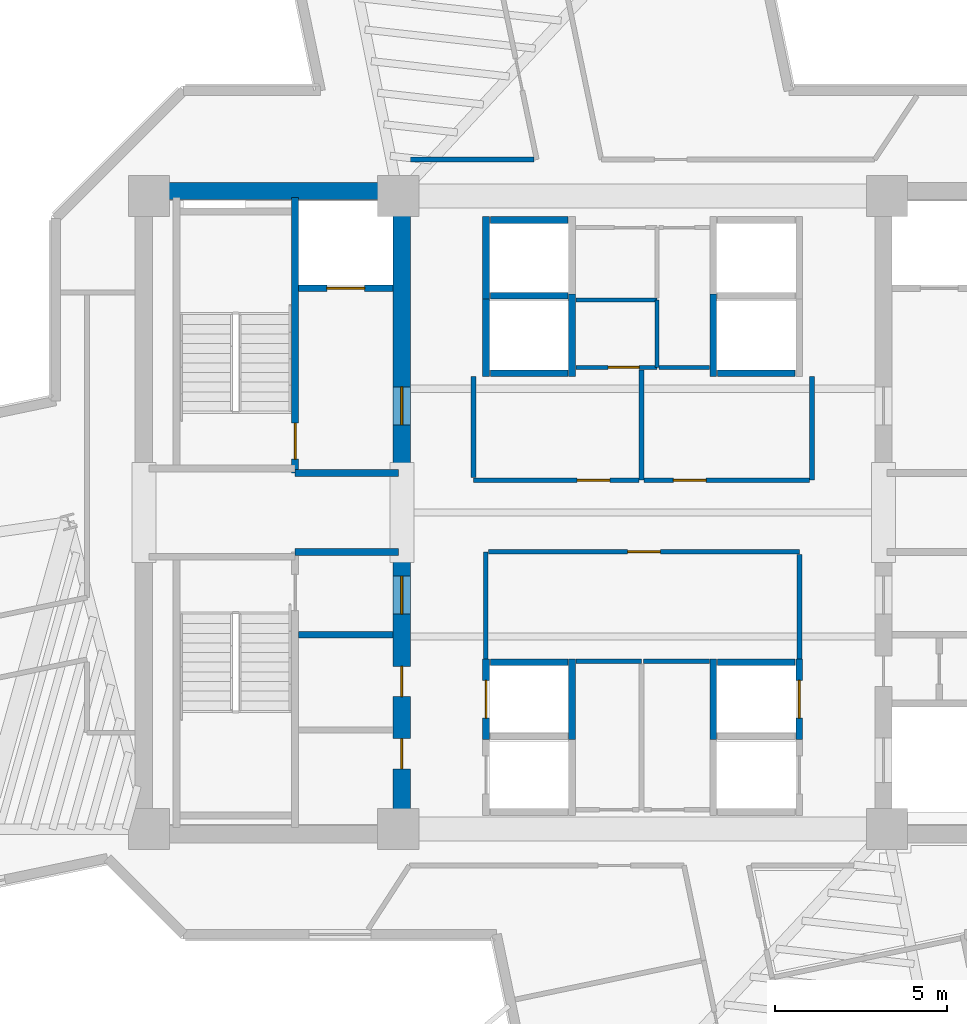
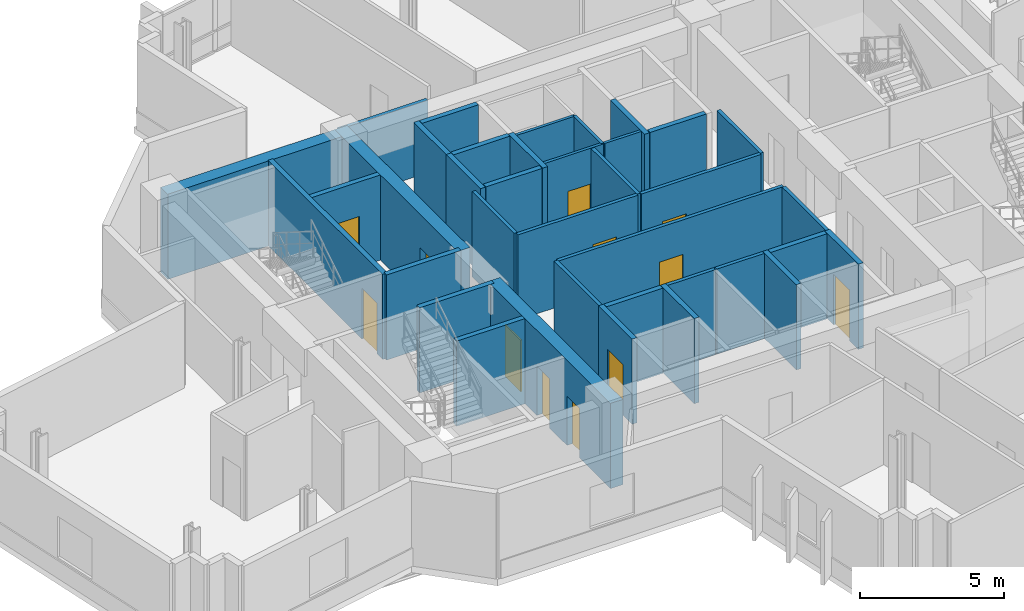
# One storey, part 8 of 14: 37 walls, 12 doors, 12 openings.
"""IFC4 building model written with IfcOpenShell, lengths in metres."""

from ifc_helpers import new_model, si_unit, direction, frame, frame_2d, origin, place, context, subcontext, project, spatial, rectangle, extrude, source, transform, mapped, material, layer, layer_set, type_object, element, fill, save


model = new_model("IFC4")

# Units and contexts
model_context = context("Model", 3, precision=1e-05, world=origin(), true_north=direction((0.0, 1.0)))
body_context = subcontext(model_context, "Body", "Model", "MODEL_VIEW")
ifc_project = project(units=[si_unit("LENGTHUNIT", "METRE"), si_unit("AREAUNIT", "SQUARE_METRE"), si_unit("VOLUMEUNIT", "CUBIC_METRE"), si_unit("PLANEANGLEUNIT", "RADIAN"), si_unit("MASSUNIT", "GRAM", prefix="KILO")], contexts=[model_context])

# Site, building, storey
site_placement = place(None, origin())
site = spatial("IfcSite", under=ifc_project, at=site_placement, CompositionType="ELEMENT")
building_placement = place(site_placement, origin())
building = spatial("IfcBuilding", under=site, at=building_placement, Name="Zahravan Cultural Tower", CompositionType="ELEMENT")
storey_placement = place(building_placement, frame((0.0, 0.0, 162.89990234375)))
storey = spatial("IfcBuildingStorey", under=building, at=storey_placement, Name="L37", CompositionType="ELEMENT", Elevation=162.89990234375)

# Wall, openings, doors
ifc_material_1 = material(Name="Concrete C60/75", Category="concrete")
ifc_layer_1 = layer(ifc_material_1, 0.5)
ifc_layer_set_1 = layer_set([ifc_layer_1], Name="Concrete C60/75")
wall_type_1 = type_object("IfcWallType", Name="CW-SHEAR-500-C60", PredefinedType="SHEAR", material=ifc_layer_set_1)
wall_1_placement = place(storey_placement, frame((29.0, 17.39990234375, 0.0), z_axis=(0.0, 0.0, 1.0), x_axis=(0.0, 1.0, 0.0)))
wall_1 = element("IfcWall", 1, at=wall_1_placement, inside=storey, type_object=wall_type_1, Name="L37 Core Shear Wall CW-W-ES-L37", PredefinedType="SHEAR", context=body_context, shape_type="SweptSolid", body=[
    extrude(rectangle(XDim=8.550048828125, YDim=0.5, at=frame_2d((4.27490234375, 0.0))), origin(), (0.0, 0.0, 1.0), 3.6201171875),
])
opening_1_placement = place(wall_1_placement, frame((6.64990234375, 0.0, 0.0)))
opening_1 = element("IfcOpeningElement", 2, at=opening_1_placement, cuts=wall_1, Name="Opening D-L37-07", PredefinedType="OPENING", context=body_context, shape_type="SweptSolid", body=[
    extrude(rectangle(XDim=1.10009765625, YDim=2.199951171875, at=frame_2d((0.550048828125, 1.10009765625))), frame((0.0, 0.260009765625, 0.0), z_axis=(0.0, -1.0, 0.0), x_axis=(1.0, 0.0, 0.0)), (0.0, 0.0, 1.0), 0.52001953125),
])
opening_2_placement = place(wall_1_placement, frame((2.14990234375, 0.0, 0.0)))
opening_2 = element("IfcOpeningElement", 3, at=opening_2_placement, cuts=wall_1, Name="Opening D-L37-09", PredefinedType="OPENING", context=body_context, shape_type="SweptSolid", body=[
    extrude(rectangle(XDim=0.8798828125, YDim=2.10009765625, at=frame_2d((0.43994140625, 1.050048828125))), frame((0.0, 0.260009765625, 0.0), z_axis=(0.0, -1.0, 0.0), x_axis=(1.0, 0.0, 0.0)), (0.0, 0.0, 1.0), 0.52001953125),
])
opening_3_placement = place(wall_1_placement, frame((4.25, 0.0, 0.0)))
opening_3 = element("IfcOpeningElement", 4, at=opening_3_placement, cuts=wall_1, Name="Opening D-L37-10", PredefinedType="OPENING", context=body_context, shape_type="SweptSolid", body=[
    extrude(rectangle(XDim=0.8798828125, YDim=2.10009765625, at=frame_2d((0.43994140625, 1.050048828125))), frame((0.0, 0.260009765625, 0.0), z_axis=(0.0, -1.0, 0.0), x_axis=(1.0, 0.0, 0.0)), (0.0, 0.0, 1.0), 0.52001953125),
])
ifc_material_2 = material(Name="Steel ASTM A572 Grade 50", Category="steel")
door_type_1 = type_object("IfcDoorType", Name="DR-LOBBY-1100", OperationType="NOTDEFINED", PredefinedType="DOOR", material=ifc_material_2)
shared_shape_1 = source(origin(), body_context, "Body", "SweptSolid", [
    extrude(rectangle(XDim=1.10009765625, YDim=2.199951171875, at=frame_2d((0.550048828125, 1.10009765625))), frame((0.0, 0.02490234375, 0.0), z_axis=(0.0, -1.0, 0.0), x_axis=(1.0, 0.0, 0.0)), (0.0, 0.0, 1.0), 0.050048828125),
])
door_1_placement = place(opening_1_placement, origin())
door_1 = element("IfcDoor", 5, at=door_1_placement, inside=storey, type_object=door_type_1, Name="L37 Door D-L37-07", OperationType="SINGLE_SWING_LEFT", OverallHeight=2.199951171875, OverallWidth=1.10009765625, PredefinedType="DOOR", context=body_context, shape_type="MappedRepresentation", body=[
    mapped(shared_shape_1, transform((0.0, 0.0, 0.0), x_axis=(1.0, 0.0, 0.0), y_axis=(0.0, 1.0, 0.0), z_axis=(0.0, 0.0, 1.0), scale=1.0)),
])
fill(opening_1, door_1)
door_type_2 = type_object("IfcDoorType", Name="DR-SVC-880", OperationType="NOTDEFINED", PredefinedType="DOOR", material=ifc_material_2)
shared_shape_2 = source(origin(), body_context, "Body", "SweptSolid", [
    extrude(rectangle(XDim=0.8798828125, YDim=2.10009765625, at=frame_2d((0.43994140625, 1.050048828125))), frame((0.0, 0.02490234375, 0.0), z_axis=(0.0, -1.0, 0.0), x_axis=(1.0, 0.0, 0.0)), (0.0, 0.0, 1.0), 0.050048828125),
])
door_2_placement = place(opening_2_placement, origin())
door_2 = element("IfcDoor", 6, at=door_2_placement, inside=storey, type_object=door_type_2, Name="L37 Door D-L37-09", OperationType="SINGLE_SWING_LEFT", OverallHeight=2.10009765625, OverallWidth=0.8798828125, PredefinedType="DOOR", context=body_context, shape_type="MappedRepresentation", body=[
    mapped(shared_shape_2, transform((0.0, 0.0, 0.0), x_axis=(1.0, 0.0, 0.0), y_axis=(0.0, 1.0, 0.0), z_axis=(0.0, 0.0, 1.0), scale=1.0)),
])
fill(opening_2, door_2)
door_3_placement = place(opening_3_placement, origin())
door_3 = element("IfcDoor", 7, at=door_3_placement, inside=storey, type_object=door_type_2, Name="L37 Door D-L37-10", OperationType="SINGLE_SWING_RIGHT", OverallHeight=2.10009765625, OverallWidth=0.8798828125, PredefinedType="DOOR", context=body_context, shape_type="MappedRepresentation", body=[
    mapped(shared_shape_2, transform((0.0, 0.0, 0.0), x_axis=(1.0, 0.0, 0.0), y_axis=(0.0, 1.0, 0.0), z_axis=(0.0, 0.0, 1.0), scale=1.0)),
])
fill(opening_3, door_3)

# Wall, opening, door
wall_2_placement = place(storey_placement, frame((29.0, 28.050048828125, 0.0), z_axis=(0.0, 0.0, 1.0), x_axis=(0.0, 1.0, 0.0)))
wall_2 = element("IfcWall", 8, at=wall_2_placement, inside=storey, type_object=wall_type_1, Name="L37 Core Shear Wall CW-W-EN-L37", PredefinedType="SHEAR", context=body_context, shape_type="SweptSolid", body=[
    extrude(rectangle(XDim=8.550048828125, YDim=0.5, at=frame_2d((4.27490234375, 0.0))), origin(), (0.0, 0.0, 1.0), 3.6201171875),
])
opening_4_placement = place(wall_2_placement, frame((1.5, 0.0, 0.0)))
opening_4 = element("IfcOpeningElement", 9, at=opening_4_placement, cuts=wall_2, Name="Opening D-L37-05", PredefinedType="OPENING", context=body_context, shape_type="SweptSolid", body=[
    extrude(rectangle(XDim=1.10009765625, YDim=2.199951171875, at=frame_2d((0.550048828125, 1.10009765625))), frame((0.0, 0.260009765625, 0.0), z_axis=(0.0, -1.0, 0.0), x_axis=(1.0, 0.0, 0.0)), (0.0, 0.0, 1.0), 0.52001953125),
])
door_4_placement = place(opening_4_placement, origin())
door_4 = element("IfcDoor", 10, at=door_4_placement, inside=storey, type_object=door_type_1, Name="L37 Door D-L37-05", OperationType="SINGLE_SWING_LEFT", OverallHeight=2.199951171875, OverallWidth=1.10009765625, PredefinedType="DOOR", context=body_context, shape_type="MappedRepresentation", body=[
    mapped(shared_shape_1, transform((0.0, 0.0, 0.0), x_axis=(1.0, 0.0, 0.0), y_axis=(0.0, 1.0, 0.0), z_axis=(0.0, 0.0, 1.0), scale=1.0)),
])
fill(opening_4, door_4)

ifc_material_3 = material(Name="Gypsum plasterboard partition")
ifc_layer_2 = layer(ifc_material_3, 0.139892578125)
ifc_layer_set_2 = layer_set([ifc_layer_2], Name="Gypsum plasterboard partition")
wall_type_2 = type_object("IfcWallType", Name="W-PART-140", PredefinedType="PARTITIONING", material=ifc_layer_set_2)
wall_3_placement = place(storey_placement, frame((35.89501953125, 27.93994140625, 0.0), z_axis=(0.0, 0.0, 1.0), x_axis=(-1.0, 0.0, 0.0)))
wall_3 = element("IfcWall", 11, at=wall_3_placement, inside=storey, type_object=wall_type_2, Name="L37 Interior Wall 069", PredefinedType="PARTITIONING", context=body_context, shape_type="SweptSolid", body=[
    extrude(rectangle(XDim=4.81494140625, YDim=0.139892578125, at=frame_2d((2.407470703125, 0.0))), origin(), (0.0, 0.0, 1.0), 3.6201171875),
])
opening_5_placement = place(wall_3_placement, frame((0.850341796875, 0.0, 0.0)))
opening_5 = element("IfcOpeningElement", 12, at=opening_5_placement, cuts=wall_3, Name="Opening D-L37-16", PredefinedType="OPENING", context=body_context, shape_type="SweptSolid", body=[
    extrude(rectangle(XDim=0.949951171875, YDim=2.14990234375, at=frame_2d((0.47509765625, 1.074951171875))), frame((0.0, 0.079833984375, 0.0), z_axis=(0.0, -1.0, 0.0), x_axis=(1.0, 0.0, 0.0)), (0.0, 0.0, 1.0), 0.159912109375),
])
ifc_material_4 = material(Name="Anodised bronze-aluminium mullion", Category="aluminium")
door_type_3 = type_object("IfcDoorType", Name="DR-ROOM-950", OperationType="NOTDEFINED", PredefinedType="DOOR", material=ifc_material_4)
shared_shape_3 = source(origin(), body_context, "Body", "SweptSolid", [
    extrude(rectangle(XDim=0.949951171875, YDim=2.14990234375, at=frame_2d((0.47509765625, 1.074951171875))), frame((0.0, 0.02490234375, 0.0), z_axis=(0.0, -1.0, 0.0), x_axis=(1.0, 0.0, 0.0)), (0.0, 0.0, 1.0), 0.050048828125),
])
door_5_placement = place(opening_5_placement, origin())
door_5 = element("IfcDoor", 13, at=door_5_placement, inside=storey, type_object=door_type_3, Name="L37 Door D-L37-16", OperationType="SINGLE_SWING_RIGHT", OverallHeight=2.14990234375, OverallWidth=0.949951171875, PredefinedType="DOOR", context=body_context, shape_type="MappedRepresentation", body=[
    mapped(shared_shape_3, transform((0.0, 0.0, 0.0), x_axis=(1.0, 0.0, 0.0), y_axis=(0.0, 1.0, 0.0), z_axis=(0.0, 0.0, 1.0), scale=1.0)),
])
fill(opening_5, door_5)

wall_4_placement = place(storey_placement, frame((40.844970703125, 27.93994140625, 0.0), z_axis=(0.0, 0.0, 1.0), x_axis=(-1.0, 0.0, 0.0)))
wall_4 = element("IfcWall", 14, at=wall_4_placement, inside=storey, type_object=wall_type_2, Name="L37 Interior Wall 072", PredefinedType="PARTITIONING", context=body_context, shape_type="SweptSolid", body=[
    extrude(rectangle(XDim=4.800048828125, YDim=0.139892578125, at=frame_2d((2.39990234375, 0.0))), origin(), (0.0, 0.0, 1.0), 3.6201171875),
])
opening_6_placement = place(wall_4_placement, frame((3.0029296875, 0.0, 0.0)))
opening_6 = element("IfcOpeningElement", 15, at=opening_6_placement, cuts=wall_4, Name="Opening D-L37-17", PredefinedType="OPENING", context=body_context, shape_type="SweptSolid", body=[
    extrude(rectangle(XDim=0.949951171875, YDim=2.14990234375, at=frame_2d((0.47509765625, 1.074951171875))), frame((0.0, 0.079833984375, 0.0), z_axis=(0.0, -1.0, 0.0), x_axis=(1.0, 0.0, 0.0)), (0.0, 0.0, 1.0), 0.159912109375),
])
door_6_placement = place(opening_6_placement, origin())
door_6 = element("IfcDoor", 16, at=door_6_placement, inside=storey, type_object=door_type_3, Name="L37 Door D-L37-17", OperationType="SINGLE_SWING_LEFT", OverallHeight=2.14990234375, OverallWidth=0.949951171875, PredefinedType="DOOR", context=body_context, shape_type="MappedRepresentation", body=[
    mapped(shared_shape_3, transform((0.0, 0.0, 0.0), x_axis=(1.0, 0.0, 0.0), y_axis=(0.0, 1.0, 0.0), z_axis=(0.0, 0.0, 1.0), scale=1.0)),
])
fill(opening_6, door_6)

wall_5_placement = place(storey_placement, frame((31.514892578125, 25.860107421875, 0.0), z_axis=(0.0, 0.0, 1.0), x_axis=(1.0, 0.0, 0.0)))
wall_5 = element("IfcWall", 17, at=wall_5_placement, inside=storey, type_object=wall_type_2, Name="L37 Interior Wall 078", PredefinedType="PARTITIONING", context=body_context, shape_type="SweptSolid", body=[
    extrude(rectangle(XDim=9.045166015625, YDim=0.139892578125, at=frame_2d((4.5224609375, 0.0))), origin(), (0.0, 0.0, 1.0), 3.6201171875),
])
opening_7_placement = place(wall_5_placement, frame((4.047607421875, 0.0, 0.0)))
opening_7 = element("IfcOpeningElement", 18, at=opening_7_placement, cuts=wall_5, Name="Opening D-L37-13", PredefinedType="OPENING", context=body_context, shape_type="SweptSolid", body=[
    extrude(rectangle(XDim=0.949951171875, YDim=2.14990234375, at=frame_2d((0.47509765625, 1.074951171875))), frame((0.0, 0.079833984375, 0.0), z_axis=(0.0, -1.0, 0.0), x_axis=(1.0, 0.0, 0.0)), (0.0, 0.0, 1.0), 0.159912109375),
])
door_7_placement = place(opening_7_placement, origin())
door_7 = element("IfcDoor", 19, at=door_7_placement, inside=storey, type_object=door_type_3, Name="L37 Door D-L37-13", OperationType="SINGLE_SWING_LEFT", OverallHeight=2.14990234375, OverallWidth=0.949951171875, PredefinedType="DOOR", context=body_context, shape_type="MappedRepresentation", body=[
    mapped(shared_shape_3, transform((0.0, 0.0, 0.0), x_axis=(1.0, 0.0, 0.0), y_axis=(0.0, 1.0, 0.0), z_axis=(0.0, 0.0, 1.0), scale=1.0)),
])
fill(opening_7, door_7)

ifc_material_5 = material(Name="Concrete C45/55", Category="concrete")
ifc_layer_3 = layer(ifc_material_5, 0.199951171875)
ifc_layer_set_3 = layer_set([ifc_layer_3], Name="Concrete C45/55")
wall_type_3 = type_object("IfcWallType", Name="W-SHAFT-200", PredefinedType="SOLIDWALL", material=ifc_layer_set_3)
wall_6_placement = place(storey_placement, frame((25.89990234375, 28.14990234375, 0.0), z_axis=(0.0, 0.0, 1.0), x_axis=(0.0, 1.0, 0.0)))
wall_6 = element("IfcWall", 20, at=wall_6_placement, inside=storey, type_object=wall_type_3, Name="L37 Interior Wall 006", PredefinedType="SOLIDWALL", context=body_context, shape_type="SweptSolid", body=[
    extrude(rectangle(XDim=8.0, YDim=0.199951171875, at=frame_2d((4.0, 0.0))), origin(), (0.0, 0.0, 1.0), 3.6201171875),
])
opening_8_placement = place(wall_6_placement, frame((0.39990234375, 0.0, 0.0)))
opening_8 = element("IfcOpeningElement", 21, at=opening_8_placement, cuts=wall_6, Name="Opening D-L37-01", PredefinedType="OPENING", context=body_context, shape_type="SweptSolid", body=[
    extrude(rectangle(XDim=1.050048828125, YDim=2.14990234375, at=frame_2d((0.52490234375, 1.074951171875))), frame((0.0, 0.10986328125, 0.0), z_axis=(0.0, -1.0, 0.0), x_axis=(1.0, 0.0, 0.0)), (0.0, 0.0, 1.0), 0.219970703125),
])
door_type_4 = type_object("IfcDoorType", Name="DR-STAIR-1050", OperationType="NOTDEFINED", PredefinedType="DOOR", material=ifc_material_2)
shared_shape_4 = source(origin(), body_context, "Body", "SweptSolid", [
    extrude(rectangle(XDim=1.050048828125, YDim=2.14990234375, at=frame_2d((0.52490234375, 1.074951171875))), frame((0.0, 0.02490234375, 0.0), z_axis=(0.0, -1.0, 0.0), x_axis=(1.0, 0.0, 0.0)), (0.0, 0.0, 1.0), 0.050048828125),
])
door_8_placement = place(opening_8_placement, origin())
door_8 = element("IfcDoor", 22, at=door_8_placement, inside=storey, type_object=door_type_4, Name="L37 Door D-L37-01", OperationType="SINGLE_SWING_LEFT", OverallHeight=2.14990234375, OverallWidth=1.050048828125, PredefinedType="DOOR", context=body_context, shape_type="MappedRepresentation", body=[
    mapped(shared_shape_4, transform((0.0, 0.0, 0.0), x_axis=(1.0, 0.0, 0.0), y_axis=(0.0, 1.0, 0.0), z_axis=(0.0, 0.0, 1.0), scale=1.0)),
])
fill(opening_8, door_8)

wall_7_placement = place(storey_placement, frame((26.0, 33.52001953125, 0.0), z_axis=(0.0, 0.0, 1.0), x_axis=(1.0, 0.0, 0.0)))
wall_7 = element("IfcWall", 23, at=wall_7_placement, inside=storey, type_object=wall_type_3, Name="L37 Interior Wall 021", PredefinedType="SOLIDWALL", context=body_context, shape_type="SweptSolid", body=[
    extrude(rectangle(XDim=2.75, YDim=0.199951171875, at=frame_2d((1.375, 0.0))), origin(), (0.0, 0.0, 1.0), 3.6201171875),
])
opening_9_placement = place(wall_7_placement, frame((0.820068359375, 0.0, 0.0)))
opening_9 = element("IfcOpeningElement", 24, at=opening_9_placement, cuts=wall_7, Name="Opening LD-L37-01", PredefinedType="OPENING", context=body_context, shape_type="SweptSolid", body=[
    extrude(rectangle(XDim=1.10009765625, YDim=2.14990234375, at=frame_2d((0.550048828125, 1.074951171875))), frame((0.0, 0.10986328125, 0.0), z_axis=(0.0, -1.0, 0.0), x_axis=(1.0, 0.0, 0.0)), (0.0, 0.0, 1.0), 0.219970703125),
])
door_type_5 = type_object("IfcDoorType", Name="DR-LIFT-1100", OperationType="DOUBLE_DOOR_SLIDING", PredefinedType="DOOR", material=ifc_material_2)
shared_shape_5 = source(origin(), body_context, "Body", "SweptSolid", [
    extrude(rectangle(XDim=1.10009765625, YDim=2.14990234375, at=frame_2d((0.550048828125, 1.074951171875))), frame((0.0, 0.02490234375, 0.0), z_axis=(0.0, -1.0, 0.0), x_axis=(1.0, 0.0, 0.0)), (0.0, 0.0, 1.0), 0.050048828125),
])
door_9_placement = place(opening_9_placement, origin())
door_9 = element("IfcDoor", 25, at=door_9_placement, inside=storey, type_object=door_type_5, Name="L37 Door LD-L37-01", OperationType="DOUBLE_DOOR_SLIDING", OverallHeight=2.14990234375, OverallWidth=1.10009765625, PredefinedType="DOOR", context=body_context, shape_type="MappedRepresentation", body=[
    mapped(shared_shape_5, transform((0.0, 0.0, 0.0), x_axis=(1.0, 0.0, 0.0), y_axis=(0.0, 1.0, 0.0), z_axis=(0.0, 0.0, 1.0), scale=1.0)),
])
fill(opening_9, door_9)

wall_8_placement = place(storey_placement, frame((31.449951171875, 20.39990234375, 0.0), z_axis=(0.0, 0.0, 1.0), x_axis=(0.0, 1.0, 0.0)))
wall_8 = element("IfcWall", 26, at=wall_8_placement, inside=storey, type_object=wall_type_3, Name="L37 Interior Wall 042", PredefinedType="SOLIDWALL", context=body_context, shape_type="SweptSolid", body=[
    extrude(rectangle(XDim=2.35009765625, YDim=0.199951171875, at=frame_2d((1.175048828125, 0.0))), origin(), (0.0, 0.0, 1.0), 3.6201171875),
])
opening_10_placement = place(wall_8_placement, frame((0.625, 0.0, 0.0)))
opening_10 = element("IfcOpeningElement", 27, at=opening_10_placement, cuts=wall_8, Name="Opening LD-L37-04", PredefinedType="OPENING", context=body_context, shape_type="SweptSolid", body=[
    extrude(rectangle(XDim=1.10009765625, YDim=2.14990234375, at=frame_2d((0.550048828125, 1.074951171875))), frame((0.0, 0.10986328125, 0.0), z_axis=(0.0, -1.0, 0.0), x_axis=(1.0, 0.0, 0.0)), (0.0, 0.0, 1.0), 0.219970703125),
])
door_10_placement = place(opening_10_placement, origin())
door_10 = element("IfcDoor", 28, at=door_10_placement, inside=storey, type_object=door_type_5, Name="L37 Door LD-L37-04", OperationType="DOUBLE_DOOR_SLIDING", OverallHeight=2.14990234375, OverallWidth=1.10009765625, PredefinedType="DOOR", context=body_context, shape_type="MappedRepresentation", body=[
    mapped(shared_shape_5, transform((0.0, 0.0, 0.0), x_axis=(1.0, 0.0, 0.0), y_axis=(0.0, 1.0, 0.0), z_axis=(0.0, 0.0, 1.0), scale=1.0)),
])
fill(opening_10, door_10)

wall_9_placement = place(storey_placement, frame((40.550048828125, 20.39990234375, 0.0), z_axis=(0.0, 0.0, 1.0), x_axis=(0.0, 1.0, 0.0)))
wall_9 = element("IfcWall", 29, at=wall_9_placement, inside=storey, type_object=wall_type_3, Name="L37 Interior Wall 050", PredefinedType="SOLIDWALL", context=body_context, shape_type="SweptSolid", body=[
    extrude(rectangle(XDim=2.35009765625, YDim=0.199951171875, at=frame_2d((1.175048828125, 0.0))), origin(), (0.0, 0.0, 1.0), 3.6201171875),
])
opening_11_placement = place(wall_9_placement, frame((0.625, 0.0, 0.0)))
opening_11 = element("IfcOpeningElement", 30, at=opening_11_placement, cuts=wall_9, Name="Opening LD-L37-06", PredefinedType="OPENING", context=body_context, shape_type="SweptSolid", body=[
    extrude(rectangle(XDim=1.10009765625, YDim=2.14990234375, at=frame_2d((0.550048828125, 1.074951171875))), frame((0.0, 0.10986328125, 0.0), z_axis=(0.0, -1.0, 0.0), x_axis=(1.0, 0.0, 0.0)), (0.0, 0.0, 1.0), 0.219970703125),
])
door_11_placement = place(opening_11_placement, origin())
door_11 = element("IfcDoor", 31, at=door_11_placement, inside=storey, type_object=door_type_5, Name="L37 Door LD-L37-06", OperationType="DOUBLE_DOOR_SLIDING", OverallHeight=2.14990234375, OverallWidth=1.10009765625, PredefinedType="DOOR", context=body_context, shape_type="MappedRepresentation", body=[
    mapped(shared_shape_5, transform((0.0, 0.0, 0.0), x_axis=(1.0, 0.0, 0.0), y_axis=(0.0, 1.0, 0.0), z_axis=(0.0, 0.0, 1.0), scale=1.0)),
])
fill(opening_11, door_11)

ifc_layer_4 = layer(ifc_material_3, 0.114990234375)
ifc_layer_set_4 = layer_set([ifc_layer_4], Name="Gypsum plasterboard partition")
wall_type_4 = type_object("IfcWallType", Name="W-WC-115", PredefinedType="PARTITIONING", material=ifc_layer_set_4)
wall_10_placement = place(storey_placement, frame((36.409912109375, 31.219970703125, 0.0), z_axis=(0.0, 0.0, 1.0), x_axis=(-1.0, 0.0, 0.0)))
wall_10 = element("IfcWall", 32, at=wall_10_placement, inside=storey, type_object=wall_type_4, Name="L37 Interior Wall 056", PredefinedType="PARTITIONING", context=body_context, shape_type="SweptSolid", body=[
    extrude(rectangle(XDim=2.35498046875, YDim=0.114990234375, at=frame_2d((1.177490234375, 0.0))), origin(), (0.0, 0.0, 1.0), 3.6201171875),
])
opening_12_placement = place(wall_10_placement, frame((0.5166015625, 0.0, 0.0)))
opening_12 = element("IfcOpeningElement", 33, at=opening_12_placement, cuts=wall_10, Name="Opening D-L37-29", PredefinedType="OPENING", context=body_context, shape_type="SweptSolid", body=[
    extrude(rectangle(XDim=0.89990234375, YDim=2.10009765625, at=frame_2d((0.449951171875, 1.050048828125))), frame((0.0, 0.0673828125, 0.0), z_axis=(0.0, -1.0, 0.0), x_axis=(1.0, 0.0, 0.0)), (0.0, 0.0, 1.0), 0.135009765625),
])
door_type_6 = type_object("IfcDoorType", Name="DR-WC-900", OperationType="NOTDEFINED", PredefinedType="DOOR", material=ifc_material_4)
shared_shape_6 = source(origin(), body_context, "Body", "SweptSolid", [
    extrude(rectangle(XDim=0.89990234375, YDim=2.10009765625, at=frame_2d((0.449951171875, 1.050048828125))), frame((0.0, 0.02490234375, 0.0), z_axis=(0.0, -1.0, 0.0), x_axis=(1.0, 0.0, 0.0)), (0.0, 0.0, 1.0), 0.050048828125),
])
door_12_placement = place(opening_12_placement, origin())
door_12 = element("IfcDoor", 34, at=door_12_placement, inside=storey, type_object=door_type_6, Name="L37 Door D-L37-29", OperationType="SINGLE_SWING_LEFT", OverallHeight=2.10009765625, OverallWidth=0.89990234375, PredefinedType="DOOR", context=body_context, shape_type="MappedRepresentation", body=[
    mapped(shared_shape_6, transform((0.0, 0.0, 0.0), x_axis=(1.0, 0.0, 0.0), y_axis=(0.0, 1.0, 0.0), z_axis=(0.0, 0.0, 1.0), scale=1.0)),
])
fill(opening_12, door_12)

# Walls
shared_shape_7 = source(origin(), body_context, "Body", "SweptSolid", [
    extrude(rectangle(XDim=7.0, YDim=0.5, at=frame_2d((3.5, 0.0))), origin(), (0.0, 0.0, 1.0), 3.6201171875),
])
wall_11_placement = place(storey_placement, frame((21.75, 36.35009765625, 0.0), z_axis=(0.0, 0.0, 1.0), x_axis=(1.0, 0.0, 0.0)))
element("IfcWall", 35, at=wall_11_placement, inside=storey, type_object=wall_type_1, Name="L37 Core Shear Wall CW-W-N-L37", PredefinedType="SHEAR", context=body_context, shape_type="MappedRepresentation", body=[
    mapped(shared_shape_7, transform((0.0, 0.0, 0.0), x_axis=(1.0, 0.0, 0.0), y_axis=(0.0, 1.0, 0.0), z_axis=(0.0, 0.0, 1.0), scale=1.0)),
])
shared_shape_8 = source(origin(), body_context, "Body", "SweptSolid", [
    extrude(rectangle(XDim=3.0, YDim=0.199951171875, at=frame_2d((1.5, 0.0))), origin(), (0.0, 0.0, 1.0), 3.6201171875),
])
for number, where, z_axis, x_axis, name in (
    (36, (25.89990234375, 25.85009765625, 0.0), (0.0, 0.0, 1.0), (1.0, 0.0, 0.0), "L37 Interior Wall 010"),
    (37, (25.89990234375, 28.14990234375, 0.0), (0.0, 0.0, 1.0), (1.0, 0.0, 0.0), "L37 Interior Wall 012"),
):
    element("IfcWall", number, at=place(storey_placement, frame(where, z_axis=z_axis, x_axis=x_axis)), inside=storey, type_object=wall_type_3, Name=name, PredefinedType="SOLIDWALL", context=body_context, shape_type="MappedRepresentation", body=[
        mapped(shared_shape_8, transform((0.0, 0.0, 0.0), x_axis=(1.0, 0.0, 0.0), y_axis=(0.0, 1.0, 0.0), z_axis=(0.0, 0.0, 1.0), scale=1.0)),
    ])
shared_shape_9 = source(origin(), body_context, "Body", "SweptSolid", [
    extrude(rectangle(XDim=2.75, YDim=0.199951171875, at=frame_2d((1.375, 0.0))), origin(), (0.0, 0.0, 1.0), 3.6201171875),
])
wall_12_placement = place(storey_placement, frame((26.0, 23.449951171875, 0.0), z_axis=(0.0, 0.0, 1.0), x_axis=(1.0, 0.0, 0.0)))
element("IfcWall", 38, at=wall_12_placement, inside=storey, type_object=wall_type_3, Name="L37 Interior Wall 023", PredefinedType="SOLIDWALL", context=body_context, shape_type="MappedRepresentation", body=[
    mapped(shared_shape_9, transform((0.0, 0.0, 0.0), x_axis=(1.0, 0.0, 0.0), y_axis=(0.0, 1.0, 0.0), z_axis=(0.0, 0.0, 1.0), scale=1.0)),
])
shared_shape_10 = source(origin(), body_context, "Body", "SweptSolid", [
    extrude(rectangle(XDim=2.400146484375, YDim=0.199951171875, at=frame_2d((1.2001953125, 0.0))), origin(), (0.0, 0.0, 1.0), 3.6201171875),
])
for number, where, z_axis, x_axis, name in (
    (39, (31.449951171875, 33.199951171875, 0.0), (0.0, 0.0, 1.0), (0.0, 1.0, 0.0), "L37 Interior Wall 028"),
    (40, (31.449951171875, 30.949951171875, 0.0), (0.0, 0.0, 1.0), (0.0, 1.0, 0.0), "L37 Interior Wall 032"),
    (41, (33.949951171875, 30.949951171875, 0.0), (0.0, 0.0, 1.0), (0.0, 1.0, 0.0), "L37 Interior Wall 033"),
    (42, (38.050048828125, 30.949951171875, 0.0), (0.0, 0.0, 1.0), (0.0, 1.0, 0.0), "L37 Interior Wall 039"),
):
    element("IfcWall", number, at=place(storey_placement, frame(where, z_axis=z_axis, x_axis=x_axis)), inside=storey, type_object=wall_type_3, Name=name, PredefinedType="SOLIDWALL", context=body_context, shape_type="MappedRepresentation", body=[
        mapped(shared_shape_10, transform((0.0, 0.0, 0.0), x_axis=(1.0, 0.0, 0.0), y_axis=(0.0, 1.0, 0.0), z_axis=(0.0, 0.0, 1.0), scale=1.0)),
    ])
shared_shape_11 = source(origin(), body_context, "Body", "SweptSolid", [
    extrude(rectangle(XDim=2.260009765625, YDim=0.199951171875, at=frame_2d((1.1298828125, 0.0))), origin(), (0.0, 0.0, 1.0), 3.6201171875),
])
for number, where, z_axis, x_axis, name in (
    (43, (31.570068359375, 33.300048828125, 0.0), (0.0, 0.0, 1.0), (1.0, 0.0, 0.0), "L37 Interior Wall 030"),
    (44, (31.570068359375, 35.5, 0.0), (0.0, 0.0, 1.0), (1.0, 0.0, 0.0), "L37 Interior Wall 031"),
    (45, (31.570068359375, 31.050048828125, 0.0), (0.0, 0.0, 1.0), (1.0, 0.0, 0.0), "L37 Interior Wall 034"),
    (46, (38.169921875, 31.050048828125, 0.0), (0.0, 0.0, 1.0), (1.0, 0.0, 0.0), "L37 Interior Wall 041"),
    (47, (31.570068359375, 22.64990234375, 0.0), (0.0, 0.0, 1.0), (1.0, 0.0, 0.0), "L37 Interior Wall 045"),
    (48, (38.169921875, 22.64990234375, 0.0), (0.0, 0.0, 1.0), (1.0, 0.0, 0.0), "L37 Interior Wall 052"),
):
    element("IfcWall", number, at=place(storey_placement, frame(where, z_axis=z_axis, x_axis=x_axis)), inside=storey, type_object=wall_type_3, Name=name, PredefinedType="SOLIDWALL", context=body_context, shape_type="MappedRepresentation", body=[
        mapped(shared_shape_11, transform((0.0, 0.0, 0.0), x_axis=(1.0, 0.0, 0.0), y_axis=(0.0, 1.0, 0.0), z_axis=(0.0, 0.0, 1.0), scale=1.0)),
    ])
shared_shape_12 = source(origin(), body_context, "Body", "SweptSolid", [
    extrude(rectangle(XDim=2.35009765625, YDim=0.199951171875, at=frame_2d((1.175048828125, 0.0))), origin(), (0.0, 0.0, 1.0), 3.6201171875),
])
for number, where, z_axis, x_axis, name in (
    (49, (33.949951171875, 20.39990234375, 0.0), (0.0, 0.0, 1.0), (0.0, 1.0, 0.0), "L37 Interior Wall 043"),
    (50, (38.050048828125, 20.39990234375, 0.0), (0.0, 0.0, 1.0), (0.0, 1.0, 0.0), "L37 Interior Wall 049"),
):
    element("IfcWall", number, at=place(storey_placement, frame(where, z_axis=z_axis, x_axis=x_axis)), inside=storey, type_object=wall_type_3, Name=name, PredefinedType="SOLIDWALL", context=body_context, shape_type="MappedRepresentation", body=[
        mapped(shared_shape_12, transform((0.0, 0.0, 0.0), x_axis=(1.0, 0.0, 0.0), y_axis=(0.0, 1.0, 0.0), z_axis=(0.0, 0.0, 1.0), scale=1.0)),
    ])
shared_shape_13 = source(origin(), body_context, "Body", "SweptSolid", [
    extrude(rectangle(XDim=1.9599609375, YDim=0.114990234375, at=frame_2d((0.97998046875, 0.0))), origin(), (0.0, 0.0, 1.0), 3.6201171875),
])
wall_13_placement = place(storey_placement, frame((36.409912109375, 33.179931640625, 0.0), z_axis=(0.0, 0.0, 1.0), x_axis=(0.0, -1.0, 0.0)))
element("IfcWall", 51, at=wall_13_placement, inside=storey, type_object=wall_type_4, Name="L37 Interior Wall 058", PredefinedType="PARTITIONING", context=body_context, shape_type="MappedRepresentation", body=[
    mapped(shared_shape_13, transform((0.0, 0.0, 0.0), x_axis=(1.0, 0.0, 0.0), y_axis=(0.0, 1.0, 0.0), z_axis=(0.0, 0.0, 1.0), scale=1.0)),
])
shared_shape_14 = source(origin(), body_context, "Body", "SweptSolid", [
    extrude(rectangle(XDim=1.47265625, YDim=0.114990234375, at=frame_2d((0.736328125, 0.0))), origin(), (0.0, 0.0, 1.0), 3.6201171875),
])
wall_14_placement = place(storey_placement, frame((37.945068359375, 31.219970703125, 0.0), z_axis=(0.0, 0.0, 1.0), x_axis=(-1.0, 0.0, 0.0)))
element("IfcWall", 52, at=wall_14_placement, inside=storey, type_object=wall_type_4, Name="L37 Interior Wall 061", PredefinedType="PARTITIONING", context=body_context, shape_type="MappedRepresentation", body=[
    mapped(shared_shape_14, transform((0.0, 0.0, 0.0), x_axis=(1.0, 0.0, 0.0), y_axis=(0.0, 1.0, 0.0), z_axis=(0.0, 0.0, 1.0), scale=1.0)),
])
shared_shape_15 = source(origin(), body_context, "Body", "SweptSolid", [
    extrude(rectangle(XDim=3.110107421875, YDim=0.139892578125, at=frame_2d((1.55517578125, 0.0))), origin(), (0.0, 0.0, 1.0), 3.6201171875),
])
wall_15_placement = place(storey_placement, frame((31.43994140625, 22.75, 0.0), z_axis=(0.0, 0.0, 1.0), x_axis=(0.0, 1.0, 0.0)))
element("IfcWall", 53, at=wall_15_placement, inside=storey, type_object=wall_type_2, Name="L37 Interior Wall 077", PredefinedType="PARTITIONING", context=body_context, shape_type="MappedRepresentation", body=[
    mapped(shared_shape_15, transform((0.0, 0.0, 0.0), x_axis=(1.0, 0.0, 0.0), y_axis=(0.0, 1.0, 0.0), z_axis=(0.0, 0.0, 1.0), scale=1.0)),
])
shared_shape_16 = source(origin(), body_context, "Body", "SweptSolid", [
    extrude(rectangle(XDim=3.034912109375, YDim=0.139892578125, at=frame_2d((1.517578125, 0.0))), origin(), (0.0, 0.0, 1.0), 3.6201171875),
])
wall_16_placement = place(storey_placement, frame((40.56005859375, 25.784912109375, 0.0), z_axis=(0.0, 0.0, 1.0), x_axis=(0.0, -1.0, 0.0)))
element("IfcWall", 54, at=wall_16_placement, inside=storey, type_object=wall_type_2, Name="L37 Interior Wall 079", PredefinedType="PARTITIONING", context=body_context, shape_type="MappedRepresentation", body=[
    mapped(shared_shape_16, transform((0.0, 0.0, 0.0), x_axis=(1.0, 0.0, 0.0), y_axis=(0.0, 1.0, 0.0), z_axis=(0.0, 0.0, 1.0), scale=1.0)),
])
shared_shape_17 = source(origin(), body_context, "Body", "SweptSolid", [
    extrude(rectangle(XDim=3.199951171875, YDim=0.139892578125, at=frame_2d((1.60009765625, 0.0))), origin(), (0.0, 0.0, 1.0), 3.6201171875),
])
wall_17_placement = place(storey_placement, frame((35.969970703125, 31.139892578125, 0.0), z_axis=(0.0, 0.0, 1.0), x_axis=(0.0, -1.0, 0.0)))
element("IfcWall", 55, at=wall_17_placement, inside=storey, type_object=wall_type_2, Name="L37 Interior Wall 068", PredefinedType="PARTITIONING", context=body_context, shape_type="MappedRepresentation", body=[
    mapped(shared_shape_17, transform((0.0, 0.0, 0.0), x_axis=(1.0, 0.0, 0.0), y_axis=(0.0, 1.0, 0.0), z_axis=(0.0, 0.0, 1.0), scale=1.0)),
])
shared_shape_18 = source(origin(), body_context, "Body", "SweptSolid", [
    extrude(rectangle(XDim=2.93505859375, YDim=0.139892578125, at=frame_2d((1.467529296875, 0.0))), origin(), (0.0, 0.0, 1.0), 3.6201171875),
])
wall_18_placement = place(storey_placement, frame((31.080078125, 28.014892578125, 0.0), z_axis=(0.0, 0.0, 1.0), x_axis=(0.0, 1.0, 0.0)))
element("IfcWall", 56, at=wall_18_placement, inside=storey, type_object=wall_type_2, Name="L37 Interior Wall 070", PredefinedType="PARTITIONING", context=body_context, shape_type="MappedRepresentation", body=[
    mapped(shared_shape_18, transform((0.0, 0.0, 0.0), x_axis=(1.0, 0.0, 0.0), y_axis=(0.0, 1.0, 0.0), z_axis=(0.0, 0.0, 1.0), scale=1.0)),
])
shared_shape_19 = source(origin(), body_context, "Body", "SweptSolid", [
    extrude(rectangle(XDim=3.010009765625, YDim=0.139892578125, at=frame_2d((1.5048828125, 0.0))), origin(), (0.0, 0.0, 1.0), 3.6201171875),
])
wall_19_placement = place(storey_placement, frame((40.919921875, 30.949951171875, 0.0), z_axis=(0.0, 0.0, 1.0), x_axis=(0.0, -1.0, 0.0)))
element("IfcWall", 57, at=wall_19_placement, inside=storey, type_object=wall_type_2, Name="L37 Interior Wall 071", PredefinedType="PARTITIONING", context=body_context, shape_type="MappedRepresentation", body=[
    mapped(shared_shape_19, transform((0.0, 0.0, 0.0), x_axis=(1.0, 0.0, 0.0), y_axis=(0.0, 1.0, 0.0), z_axis=(0.0, 0.0, 1.0), scale=1.0)),
])
shared_shape_20 = source(origin(), body_context, "Body", "SweptSolid", [
    extrude(rectangle(XDim=2.35498046875, YDim=0.114990234375, at=frame_2d((1.177490234375, 0.0))), origin(), (0.0, 0.0, 1.0), 3.6201171875),
])
wall_20_placement = place(storey_placement, frame((34.054931640625, 33.179931640625, 0.0), z_axis=(0.0, 0.0, 1.0), x_axis=(1.0, 0.0, 0.0)))
element("IfcWall", 58, at=wall_20_placement, inside=storey, type_object=wall_type_4, Name="L37 Interior Wall 057", PredefinedType="PARTITIONING", context=body_context, shape_type="MappedRepresentation", body=[
    mapped(shared_shape_20, transform((0.0, 0.0, 0.0), x_axis=(1.0, 0.0, 0.0), y_axis=(0.0, 1.0, 0.0), z_axis=(0.0, 0.0, 1.0), scale=1.0)),
])
shared_shape_21 = source(origin(), body_context, "Body", "SweptSolid", [
    extrude(rectangle(XDim=1.9150390625, YDim=0.139892578125, at=frame_2d((0.95751953125, 0.0))), origin(), (0.0, 0.0, 1.0), 3.6201171875),
])
for number, where, z_axis, x_axis, name in (
    (59, (34.054931640625, 22.679931640625, 0.0), (0.0, 0.0, 1.0), (1.0, 0.0, 0.0), "L37 Interior Wall 063"),
    (60, (36.030029296875, 22.679931640625, 0.0), (0.0, 0.0, 1.0), (1.0, 0.0, 0.0), "L37 Interior Wall 066"),
):
    element("IfcWall", number, at=place(storey_placement, frame(where, z_axis=z_axis, x_axis=x_axis)), inside=storey, type_object=wall_type_2, Name=name, PredefinedType="PARTITIONING", context=body_context, shape_type="MappedRepresentation", body=[
        mapped(shared_shape_21, transform((0.0, 0.0, 0.0), x_axis=(1.0, 0.0, 0.0), y_axis=(0.0, 1.0, 0.0), z_axis=(0.0, 0.0, 1.0), scale=1.0)),
    ])
shared_shape_22 = source(origin(), body_context, "Body", "SweptSolid", [
    extrude(rectangle(XDim=3.589111328125, YDim=0.139892578125, at=frame_2d((1.79443359375, 0.0))), origin(), (0.0, 0.0, 1.0), 3.0791015625),
])
wall_21_placement = place(storey_placement, frame((32.843994140625, 37.260009765625, 0.0), z_axis=(0.0, 0.0, 1.0), x_axis=(-0.999999942162, -0.000340112898, 0.0)))
element("IfcWall", 61, at=wall_21_placement, inside=storey, type_object=wall_type_2, Name="L37 Interior Wall 092", PredefinedType="PARTITIONING", context=body_context, shape_type="MappedRepresentation", body=[
    mapped(shared_shape_22, transform((0.0, 0.0, 0.0), x_axis=(1.0, 0.0, 0.0), y_axis=(0.0, 1.0, 0.0), z_axis=(0.0, 0.0, 1.0), scale=1.0)),
])

save(model, "model.ifc")
